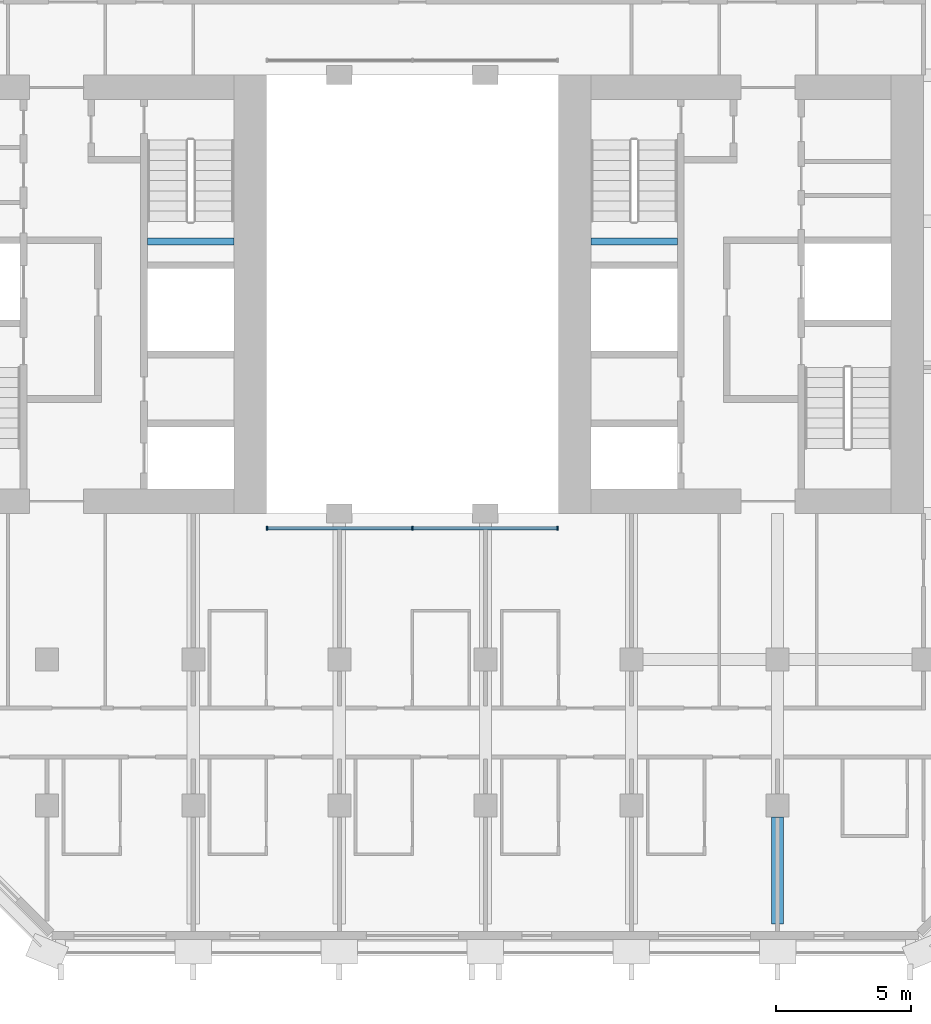
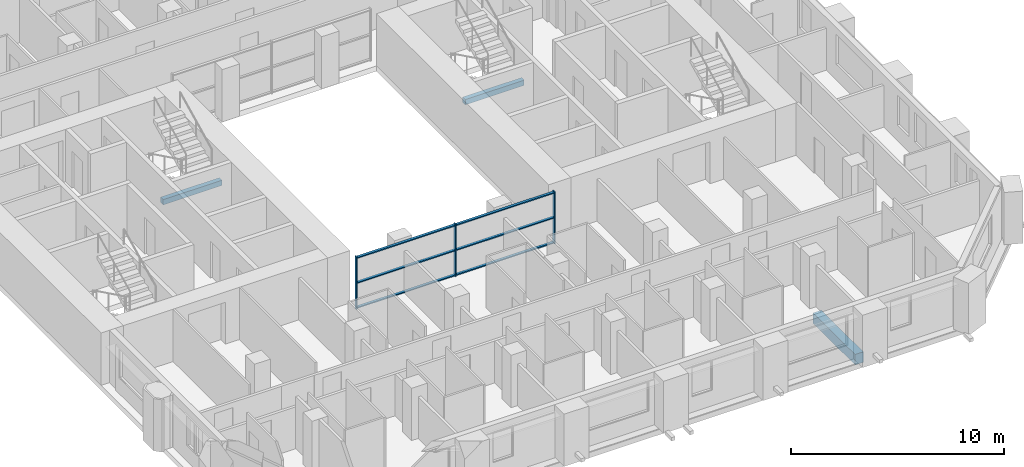
# One storey, part 2 of 13: 9 members, 3 beams, 1 element without a shape of its own.
"""IFC4 building model written with IfcOpenShell, lengths in metres."""

from ifc_helpers import new_model, si_unit, direction, frame, origin, origin_2d, place, context, subcontext, project, spatial, rectangle, extrude, material, material_profile, profile_set, type_object, element, aggregate, save


model = new_model("IFC4")

# Units and contexts
model_context = context("Model", 3, precision=1e-05, world=origin(), true_north=direction((0.0, 1.0)))
body_context = subcontext(model_context, "Body", "Model", "MODEL_VIEW")
ifc_project = project(units=[si_unit("LENGTHUNIT", "METRE"), si_unit("AREAUNIT", "SQUARE_METRE"), si_unit("VOLUMEUNIT", "CUBIC_METRE"), si_unit("PLANEANGLEUNIT", "RADIAN"), si_unit("MASSUNIT", "GRAM", prefix="KILO")], contexts=[model_context])

# Site, building, storey
site_placement = place(None, origin())
site = spatial("IfcSite", under=ifc_project, at=site_placement, CompositionType="ELEMENT")
building_placement = place(site_placement, origin())
building = spatial("IfcBuilding", under=site, at=building_placement, Name="Tabaq Tower and Sports Hall", CompositionType="ELEMENT")
storey_placement = place(building_placement, frame((0.0, 0.0, 159.39990234375)))
storey = spatial("IfcBuildingStorey", under=building, at=storey_placement, Name="L37", CompositionType="ELEMENT", Elevation=159.39990234375)

# Curtain wall, members
ifc_material_1 = material(Name="Aluminium alloy 6063-T6 framed glazing", Category="aluminium")
curtain_wall_type = type_object("IfcCurtainWallType", Name="CW1 curtain wall", PredefinedType="USERDEFINED", material=ifc_material_1)
curtain_wall_placement = place(storey_placement, origin())
curtain_wall = element("IfcCurtainWall", 1, at=curtain_wall_placement, inside=storey, type_object=curtain_wall_type, Name="Atrium glazing L37 S", ObjectType="ATRIUM ENCLOSURE", PredefinedType="USERDEFINED")
ifc_material_2 = material(Name="Aluminium alloy 6063-T6", Category="aluminium")
ifc_material_profile_1 = material_profile(ifc_material_2, rectangle(XDim=0.159912109375, YDim=0.06005859375, at=origin_2d()), Name="MULLION 160x60")
ifc_profile_set_1 = profile_set([ifc_material_profile_1], Name="Aluminium alloy 6063-T6")
member_type_1 = type_object("IfcMemberType", Name="CW1 mullion 160x60", PredefinedType="MULLION", material=ifc_profile_set_1)
member_1_placement = place(storey_placement, frame((18.929931640625, 15.64990234375, 0.0), z_axis=(0.0, 0.0, 1.0), x_axis=(0.0, 1.0, 0.0)))
member_1 = element("IfcMember", 2, at=member_1_placement, type_object=member_type_1, Name="CW1 mullion 1", PredefinedType="MULLION", context=body_context, shape_type="SweptSolid", body=[
    extrude(rectangle(XDim=0.159912109375, YDim=0.06005859375, at=origin_2d()), origin(), (0.0, 0.0, 1.0), 3.0),
])
member_2_placement = place(storey_placement, frame((24.300048828125, 15.64990234375, 0.0), z_axis=(0.0, 0.0, 1.0), x_axis=(0.0, 1.0, 0.0)))
member_2 = element("IfcMember", 3, at=member_2_placement, type_object=member_type_1, Name="CW1 mullion 2", PredefinedType="MULLION", context=body_context, shape_type="SweptSolid", body=[
    extrude(rectangle(XDim=0.159912109375, YDim=0.06005859375, at=origin_2d()), origin(), (0.0, 0.0, 1.0), 3.0),
])
member_3_placement = place(storey_placement, frame((29.669921875, 15.64990234375, 0.0), z_axis=(0.0, 0.0, 1.0), x_axis=(0.0, 1.0, 0.0)))
member_3 = element("IfcMember", 4, at=member_3_placement, type_object=member_type_1, Name="CW1 mullion 3", PredefinedType="MULLION", context=body_context, shape_type="SweptSolid", body=[
    extrude(rectangle(XDim=0.159912109375, YDim=0.06005859375, at=origin_2d()), origin(), (0.0, 0.0, 1.0), 3.0),
])
ifc_material_3 = material(Name="Aluminium alloy 6063-T6", Category="aluminium")
ifc_material_profile_2 = material_profile(ifc_material_3, rectangle(XDim=0.139892578125, YDim=0.06005859375, at=origin_2d()), Name="TRANSOM 140x60")
ifc_profile_set_2 = profile_set([ifc_material_profile_2], Name="Aluminium alloy 6063-T6")
member_type_2 = type_object("IfcMemberType", Name="CW1 transom 140x60", PredefinedType="USERDEFINED", material=ifc_profile_set_2)
member_4_placement = place(storey_placement, frame((18.9599609375, 15.64990234375, 0.070068359375), z_axis=(1.0, 0.0, 0.0), x_axis=(0.0, 1.0, 0.0)))
member_4 = element("IfcMember", 5, at=member_4_placement, type_object=member_type_2, Name="CW1 transom 1.1", ObjectType="TRANSOM", PredefinedType="USERDEFINED", context=body_context, shape_type="SweptSolid", body=[
    extrude(rectangle(XDim=0.139892578125, YDim=0.06005859375, at=origin_2d()), origin(), (0.0, 0.0, 1.0), 5.31005859375),
])
member_5_placement = place(storey_placement, frame((18.9599609375, 15.64990234375, 1.5), z_axis=(1.0, 0.0, 0.0), x_axis=(0.0, 1.0, 0.0)))
member_5 = element("IfcMember", 6, at=member_5_placement, type_object=member_type_2, Name="CW1 transom 1.2", ObjectType="TRANSOM", PredefinedType="USERDEFINED", context=body_context, shape_type="SweptSolid", body=[
    extrude(rectangle(XDim=0.139892578125, YDim=0.06005859375, at=origin_2d()), origin(), (0.0, 0.0, 1.0), 5.31005859375),
])
member_6_placement = place(storey_placement, frame((18.9599609375, 15.64990234375, 2.93017578125), z_axis=(1.0, 0.0, 0.0), x_axis=(0.0, 1.0, 0.0)))
member_6 = element("IfcMember", 7, at=member_6_placement, type_object=member_type_2, Name="CW1 transom 1.3", ObjectType="TRANSOM", PredefinedType="USERDEFINED", context=body_context, shape_type="SweptSolid", body=[
    extrude(rectangle(XDim=0.139892578125, YDim=0.06005859375, at=origin_2d()), origin(), (0.0, 0.0, 1.0), 5.31005859375),
])
member_7_placement = place(storey_placement, frame((24.330078125, 15.64990234375, 0.070068359375), z_axis=(1.0, 0.0, 0.0), x_axis=(0.0, 1.0, 0.0)))
member_7 = element("IfcMember", 8, at=member_7_placement, type_object=member_type_2, Name="CW1 transom 2.1", ObjectType="TRANSOM", PredefinedType="USERDEFINED", context=body_context, shape_type="SweptSolid", body=[
    extrude(rectangle(XDim=0.139892578125, YDim=0.06005859375, at=origin_2d()), origin(), (0.0, 0.0, 1.0), 5.309814453125),
])
member_8_placement = place(storey_placement, frame((24.330078125, 15.64990234375, 1.5), z_axis=(1.0, 0.0, 0.0), x_axis=(0.0, 1.0, 0.0)))
member_8 = element("IfcMember", 9, at=member_8_placement, type_object=member_type_2, Name="CW1 transom 2.2", ObjectType="TRANSOM", PredefinedType="USERDEFINED", context=body_context, shape_type="SweptSolid", body=[
    extrude(rectangle(XDim=0.139892578125, YDim=0.06005859375, at=origin_2d()), origin(), (0.0, 0.0, 1.0), 5.309814453125),
])
member_9_placement = place(storey_placement, frame((24.330078125, 15.64990234375, 2.93017578125), z_axis=(1.0, 0.0, 0.0), x_axis=(0.0, 1.0, 0.0)))
member_9 = element("IfcMember", 10, at=member_9_placement, type_object=member_type_2, Name="CW1 transom 2.3", ObjectType="TRANSOM", PredefinedType="USERDEFINED", context=body_context, shape_type="SweptSolid", body=[
    extrude(rectangle(XDim=0.139892578125, YDim=0.06005859375, at=origin_2d()), origin(), (0.0, 0.0, 1.0), 5.309814453125),
])
aggregate(curtain_wall, [member_1, member_2, member_3, member_4, member_5, member_6, member_7, member_8, member_9])

# Beams
ifc_material_4 = material(Name="Concrete C40/50", Category="concrete")
ifc_material_profile_3 = material_profile(ifc_material_4, rectangle(XDim=0.449951171875, YDim=0.60009765625, at=origin_2d()), Name="CB 450x600")
ifc_profile_set_3 = profile_set([ifc_material_profile_3], Name="Concrete C40/50")
beam_type_1 = type_object("IfcBeamType", Name="PT CANTILEVER BEAM CB 450x600 C40/50", PredefinedType="BEAM", material=ifc_profile_set_3)
beam_1_placement = place(storey_placement, frame((37.800048828125, 1.02490234375, -0.599853515625), z_axis=(0.0, 1.0, 0.0), x_axis=(-1.0, 0.0, 0.0)))
element("IfcBeam", 11, at=beam_1_placement, inside=storey, type_object=beam_type_1, Name="Cantilever Beam L37 S7 span 1", PredefinedType="BEAM", context=body_context, shape_type="SweptSolid", body=[
    extrude(rectangle(XDim=0.449951171875, YDim=0.60009765625, at=origin_2d()), origin(), (0.0, 0.0, 1.0), 3.9501953125),
])
ifc_material_5 = material(Name="Concrete C40/50", Category="concrete")
ifc_material_profile_4 = material_profile(ifc_material_5, rectangle(XDim=0.25, YDim=0.300048828125, at=origin_2d()), Name="RC 250x300")
ifc_profile_set_4 = profile_set([ifc_material_profile_4], Name="Concrete C40/50")
beam_type_2 = type_object("IfcBeamType", Name="Stair landing beam 250x300", PredefinedType="BEAM", material=ifc_profile_set_4)
beam_2_placement = place(storey_placement, frame((14.5, 26.25, 1.300048828125), z_axis=(1.0, 0.0, 0.0), x_axis=(0.0, 1.0, 0.0)))
element("IfcBeam", 12, at=beam_2_placement, inside=storey, type_object=beam_type_2, Name="L37 ST2 landing beam 1", PredefinedType="BEAM", context=body_context, shape_type="SweptSolid", body=[
    extrude(rectangle(XDim=0.25, YDim=0.300048828125, at=origin_2d()), origin(), (0.0, 0.0, 1.0), 3.199951171875),
])
beam_3_placement = place(storey_placement, frame((30.89990234375, 26.25, 1.300048828125), z_axis=(1.0, 0.0, 0.0), x_axis=(0.0, 1.0, 0.0)))
element("IfcBeam", 13, at=beam_3_placement, inside=storey, type_object=beam_type_2, Name="L37 ST4 landing beam 1", PredefinedType="BEAM", context=body_context, shape_type="SweptSolid", body=[
    extrude(rectangle(XDim=0.25, YDim=0.300048828125, at=origin_2d()), origin(), (0.0, 0.0, 1.0), 3.2001953125),
])

save(model, "model.ifc")
